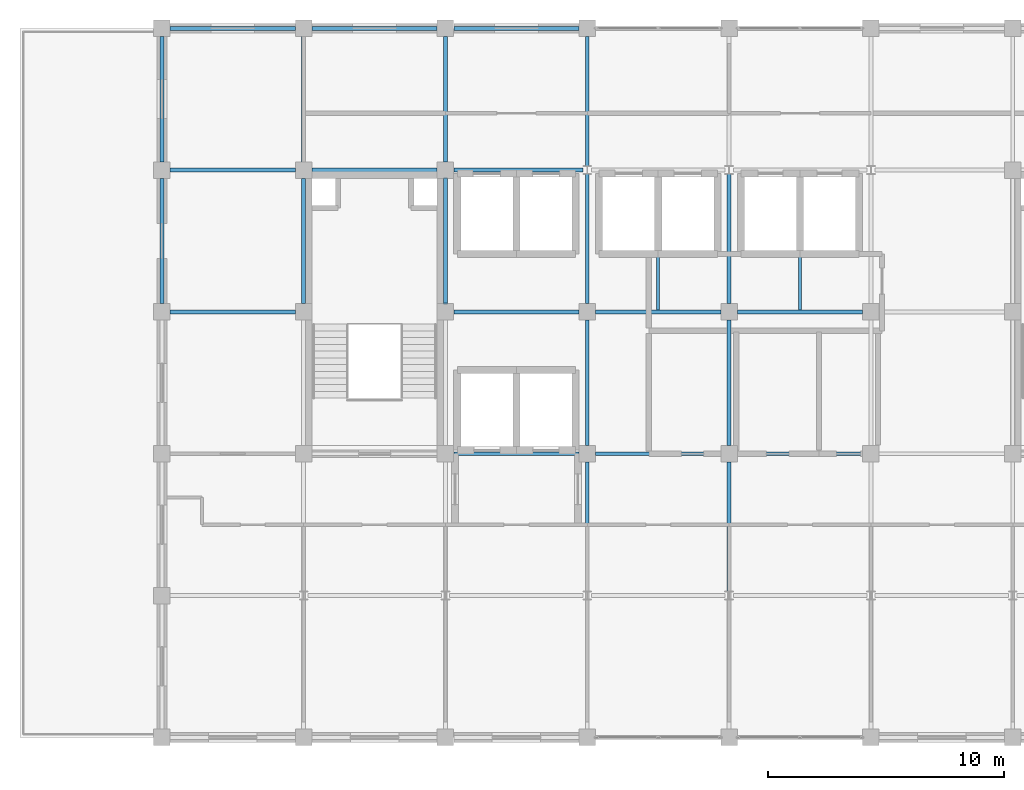
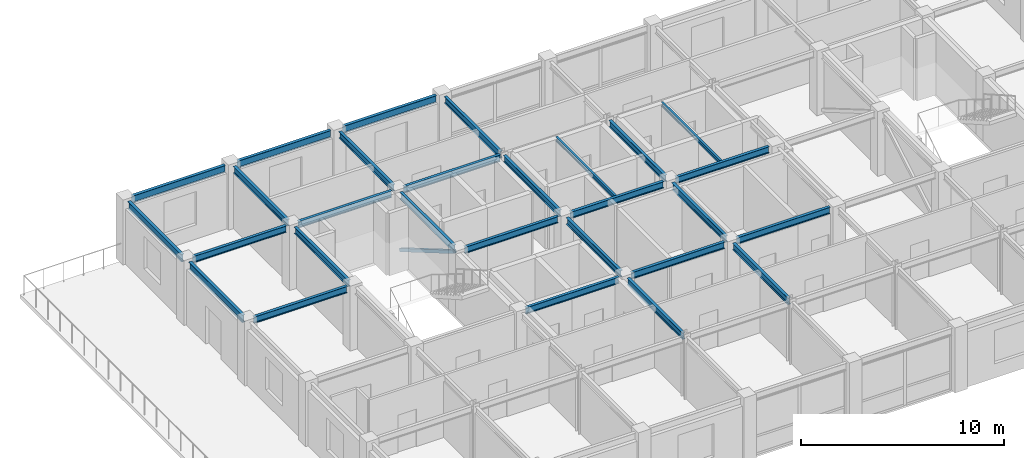
# One storey, part 6 of 15: 28 beams, 1 member.
"""IFC4 building model written with IfcOpenShell, lengths in metres."""

from ifc_helpers import new_model, si_unit, direction, frame, origin, origin_2d, place, context, subcontext, project, spatial, hollow_rectangle, i_section, extrude, material, material_profile, profile_set, type_object, element, save


model = new_model("IFC4")

# Units and contexts
model_context = context("Model", 3, precision=1e-05, world=origin(), true_north=direction((0.0, 1.0)))
body_context = subcontext(model_context, "Body", "Model", "MODEL_VIEW")
ifc_project = project(units=[si_unit("LENGTHUNIT", "METRE"), si_unit("AREAUNIT", "SQUARE_METRE"), si_unit("VOLUMEUNIT", "CUBIC_METRE"), si_unit("PLANEANGLEUNIT", "RADIAN"), si_unit("MASSUNIT", "GRAM", prefix="KILO")], contexts=[model_context])

# Site, building, storey
site_placement = place(None, origin())
site = spatial("IfcSite", under=ifc_project, at=site_placement, CompositionType="ELEMENT")
building_placement = place(site_placement, origin())
building = spatial("IfcBuilding", under=site, at=building_placement, Name="Zlatovratsky Civic Hall", CompositionType="ELEMENT")
storey_placement = place(building_placement, frame((0.0, 0.0, 36.60009765625)))
storey = spatial("IfcBuildingStorey", under=building, at=storey_placement, Name="L09", CompositionType="ELEMENT", Elevation=36.60009765625)

# Beams
ifc_material = material(Name="Steel S355", Category="steel")
ifc_material_profile_1 = material_profile(ifc_material, i_section(OverallWidth=0.169921875, OverallDepth=0.446044921875, WebThickness=0.007568359375, FlangeThickness=0.010986328125, FilletRadius=0.01611328125, at=origin_2d()), Name="45B1")
ifc_profile_set_1 = profile_set([ifc_material_profile_1], Name="Steel S355")
beam_type_1 = type_object("IfcBeamType", Name="Beam_Spandrel_45B1", PredefinedType="SPANDREL", material=ifc_profile_set_1)
for number, where, z_axis, x_axis, name in (
    (1, (60.35009765625, 102.0, 3.516845703125), (1.0, 0.0, 0.0), (0.0, 1.0, 0.0), "BM-4555"),
    (2, (66.35009765625, 102.0, 3.516845703125), (1.0, 0.0, 0.0), (0.0, 1.0, 0.0), "BM-4556"),
    (3, (72.35009765625, 102.0, 3.516845703125), (1.0, 0.0, 0.0), (0.0, 1.0, 0.0), "BM-4557"),
    (4, (60.0, 90.35009765625, 3.516845703125), (0.0, 1.0, 0.0), (-1.0, 0.0, 0.0), "BM-4566"),
    (5, (60.0, 96.35009765625, 3.516845703125), (0.0, 1.0, 0.0), (-1.0, 0.0, 0.0), "BM-4567"),
):
    element("IfcBeam", number, at=place(storey_placement, frame(where, z_axis=z_axis, x_axis=x_axis)), inside=storey, type_object=beam_type_1, Name=name, PredefinedType="SPANDREL", context=body_context, shape_type="SweptSolid", body=[
        extrude(i_section(OverallWidth=0.169921875, OverallDepth=0.446044921875, WebThickness=0.007568359375, FlangeThickness=0.010986328125, FilletRadius=0.01611328125, at=origin_2d()), origin(), (0.0, 0.0, 1.0), 5.2998046875),
    ])
ifc_material_profile_2 = material_profile(ifc_material, i_section(OverallWidth=0.1650390625, OverallDepth=0.39208984375, WebThickness=0.006591796875, FlangeThickness=0.009521484375, FilletRadius=0.014892578125, at=origin_2d()), Name="40B1")
ifc_profile_set_2 = profile_set([ifc_material_profile_2], Name="Steel S355")
beam_type_2 = type_object("IfcBeamType", Name="Beam_Tie_40B1", PredefinedType="BEAM", material=ifc_profile_set_2)
for number, where, z_axis, x_axis, name in (
    (6, (72.35009765625, 84.0, 3.5439453125), (1.0, 0.0, 0.0), (0.0, 1.0, 0.0), "BM-4535"),
    (7, (78.35009765625, 84.0, 3.5439453125), (1.0, 0.0, 0.0), (0.0, 1.0, 0.0), "BM-4536"),
    (8, (84.35009765625, 84.0, 3.5439453125), (1.0, 0.0, 0.0), (0.0, 1.0, 0.0), "BM-4537"),
    (9, (60.35009765625, 90.0, 3.5439453125), (1.0, 0.0, 0.0), (0.0, 1.0, 0.0), "BM-4541"),
    (10, (72.35009765625, 90.0, 3.5439453125), (1.0, 0.0, 0.0), (0.0, 1.0, 0.0), "BM-4542"),
    (11, (78.35009765625, 90.0, 3.5439453125), (1.0, 0.0, 0.0), (0.0, 1.0, 0.0), "BM-4543"),
    (12, (84.35009765625, 90.0, 3.5439453125), (1.0, 0.0, 0.0), (0.0, 1.0, 0.0), "BM-4544"),
    (13, (60.35009765625, 96.0, 3.5439453125), (1.0, 0.0, 0.0), (0.0, 1.0, 0.0), "BM-4547"),
    (14, (66.35009765625, 96.0, 3.5439453125), (1.0, 0.0, 0.0), (0.0, 1.0, 0.0), "BM-4548"),
):
    element("IfcBeam", number, at=place(storey_placement, frame(where, z_axis=z_axis, x_axis=x_axis)), inside=storey, type_object=beam_type_2, Name=name, PredefinedType="BEAM", context=body_context, shape_type="SweptSolid", body=[
        extrude(i_section(OverallWidth=0.1650390625, OverallDepth=0.39208984375, WebThickness=0.006591796875, FlangeThickness=0.009521484375, FilletRadius=0.014892578125, at=origin_2d()), origin(), (0.0, 0.0, 1.0), 5.2998046875),
    ])
beam_1_placement = place(storey_placement, frame((72.35009765625, 96.0, 3.5439453125), z_axis=(1.0, 0.0, 0.0), x_axis=(0.0, 1.0, 0.0)))
element("IfcBeam", 15, at=beam_1_placement, inside=storey, type_object=beam_type_2, Name="BM-4549", PredefinedType="BEAM", context=body_context, shape_type="SweptSolid", body=[
    extrude(i_section(OverallWidth=0.1650390625, OverallDepth=0.39208984375, WebThickness=0.006591796875, FlangeThickness=0.009521484375, FilletRadius=0.014892578125, at=origin_2d()), origin(), (0.0, 0.0, 1.0), 5.474853515625),
])
for number, where, z_axis, x_axis, name in (
    (16, (66.0, 90.35009765625, 3.5439453125), (0.0, 1.0, 0.0), (-1.0, 0.0, 0.0), "BM-4571"),
    (17, (66.0, 96.35009765625, 3.5439453125), (0.0, 1.0, 0.0), (-1.0, 0.0, 0.0), "BM-4572"),
    (18, (72.0, 90.35009765625, 3.5439453125), (0.0, 1.0, 0.0), (-1.0, 0.0, 0.0), "BM-4576"),
    (19, (72.0, 96.35009765625, 3.5439453125), (0.0, 1.0, 0.0), (-1.0, 0.0, 0.0), "BM-4577"),
):
    element("IfcBeam", number, at=place(storey_placement, frame(where, z_axis=z_axis, x_axis=x_axis)), inside=storey, type_object=beam_type_2, Name=name, PredefinedType="BEAM", context=body_context, shape_type="SweptSolid", body=[
        extrude(i_section(OverallWidth=0.1650390625, OverallDepth=0.39208984375, WebThickness=0.006591796875, FlangeThickness=0.009521484375, FilletRadius=0.014892578125, at=origin_2d()), origin(), (0.0, 0.0, 1.0), 5.2998046875),
    ])
beam_2_placement = place(storey_placement, frame((78.0, 78.175048828125, 3.5439453125), z_axis=(0.0, 1.0, 0.0), x_axis=(-1.0, 0.0, 0.0)))
element("IfcBeam", 20, at=beam_2_placement, inside=storey, type_object=beam_type_2, Name="BM-4579", PredefinedType="BEAM", context=body_context, shape_type="SweptSolid", body=[
    extrude(i_section(OverallWidth=0.1650390625, OverallDepth=0.39208984375, WebThickness=0.006591796875, FlangeThickness=0.009521484375, FilletRadius=0.014892578125, at=origin_2d()), origin(), (0.0, 0.0, 1.0), 5.474853515625),
])
beam_3_placement = place(storey_placement, frame((78.0, 84.35009765625, 3.5439453125), z_axis=(0.0, 1.0, 0.0), x_axis=(-1.0, 0.0, 0.0)))
element("IfcBeam", 21, at=beam_3_placement, inside=storey, type_object=beam_type_2, Name="BM-4580", PredefinedType="BEAM", context=body_context, shape_type="SweptSolid", body=[
    extrude(i_section(OverallWidth=0.1650390625, OverallDepth=0.39208984375, WebThickness=0.006591796875, FlangeThickness=0.009521484375, FilletRadius=0.014892578125, at=origin_2d()), origin(), (0.0, 0.0, 1.0), 5.2998046875),
])
for number, where, z_axis, x_axis, name in (
    (22, (78.0, 90.35009765625, 3.5439453125), (0.0, 1.0, 0.0), (-1.0, 0.0, 0.0), "BM-4581"),
    (23, (78.0, 96.175048828125, 3.5439453125), (0.0, 1.0, 0.0), (-1.0, 0.0, 0.0), "BM-4582"),
    (24, (84.0, 78.175048828125, 3.5439453125), (0.0, 1.0, 0.0), (-1.0, 0.0, 0.0), "BM-4584"),
):
    element("IfcBeam", number, at=place(storey_placement, frame(where, z_axis=z_axis, x_axis=x_axis)), inside=storey, type_object=beam_type_2, Name=name, PredefinedType="BEAM", context=body_context, shape_type="SweptSolid", body=[
        extrude(i_section(OverallWidth=0.1650390625, OverallDepth=0.39208984375, WebThickness=0.006591796875, FlangeThickness=0.009521484375, FilletRadius=0.014892578125, at=origin_2d()), origin(), (0.0, 0.0, 1.0), 5.474853515625),
    ])
beam_4_placement = place(storey_placement, frame((84.0, 84.35009765625, 3.5439453125), z_axis=(0.0, 1.0, 0.0), x_axis=(-1.0, 0.0, 0.0)))
element("IfcBeam", 25, at=beam_4_placement, inside=storey, type_object=beam_type_2, Name="BM-4585", PredefinedType="BEAM", context=body_context, shape_type="SweptSolid", body=[
    extrude(i_section(OverallWidth=0.1650390625, OverallDepth=0.39208984375, WebThickness=0.006591796875, FlangeThickness=0.009521484375, FilletRadius=0.014892578125, at=origin_2d()), origin(), (0.0, 0.0, 1.0), 5.2998046875),
])
beam_5_placement = place(storey_placement, frame((84.0, 90.35009765625, 3.5439453125), z_axis=(0.0, 1.0, 0.0), x_axis=(-1.0, 0.0, 0.0)))
element("IfcBeam", 26, at=beam_5_placement, inside=storey, type_object=beam_type_2, Name="BM-4586", PredefinedType="BEAM", context=body_context, shape_type="SweptSolid", body=[
    extrude(i_section(OverallWidth=0.1650390625, OverallDepth=0.39208984375, WebThickness=0.006591796875, FlangeThickness=0.009521484375, FilletRadius=0.014892578125, at=origin_2d()), origin(), (0.0, 0.0, 1.0), 5.474853515625),
])

# Member
ifc_material_profile_3 = material_profile(ifc_material, hollow_rectangle(XDim=0.179931640625, YDim=0.179931640625, WallThickness=0.008056640625, at=origin_2d()), Name="SHS 180x180x8")
ifc_profile_set_3 = profile_set([ifc_material_profile_3], Name="Steel S355")
member_type = type_object("IfcMemberType", Name="Brace_TowerMid_SHS180", PredefinedType="BRACE", material=ifc_profile_set_3)
member_placement = place(storey_placement, frame((72.0, 90.35009765625, 3.349853515625), z_axis=(0.0, 0.863189891905, -0.504879401949), x_axis=(-1.0, 0.0, 0.0)))
element("IfcMember", 27, at=member_placement, inside=storey, type_object=member_type, Name="MB-0141", PredefinedType="BRACE", context=body_context, shape_type="SweptSolid", body=[
    extrude(hollow_rectangle(XDim=0.179931640625, YDim=0.179931640625, WallThickness=0.008056640625, at=origin_2d()), origin(), (0.0, 0.0, 1.0), 6.139892578125),
])

# Beams
ifc_material_profile_4 = material_profile(ifc_material, i_section(OverallWidth=0.125, OverallDepth=0.25, WebThickness=0.006103515625, FlangeThickness=0.009033203125, FilletRadius=0.011962890625, at=origin_2d()), Name="25B2")
ifc_profile_set_4 = profile_set([ifc_material_profile_4], Name="Steel S355")
beam_type_3 = type_object("IfcBeamType", Name="Joist_Tower_25B2", PredefinedType="JOIST", material=ifc_profile_set_4)
for number, where, z_axis, x_axis, name in (
    (28, (81.0, 90.08251953125, 3.614990234375), (0.0, 1.0, 0.0), (-1.0, 0.0, 0.0), "BM-4608"),
    (29, (87.0, 90.08251953125, 3.614990234375), (0.0, 1.0, 0.0), (-1.0, 0.0, 0.0), "BM-4609"),
):
    element("IfcBeam", number, at=place(storey_placement, frame(where, z_axis=z_axis, x_axis=x_axis)), inside=storey, type_object=beam_type_3, Name=name, PredefinedType="JOIST", context=body_context, shape_type="SweptSolid", body=[
        extrude(i_section(OverallWidth=0.125, OverallDepth=0.25, WebThickness=0.006103515625, FlangeThickness=0.009033203125, FilletRadius=0.011962890625, at=origin_2d()), origin(), (0.0, 0.0, 1.0), 5.8349609375),
    ])

save(model, "model.ifc")
